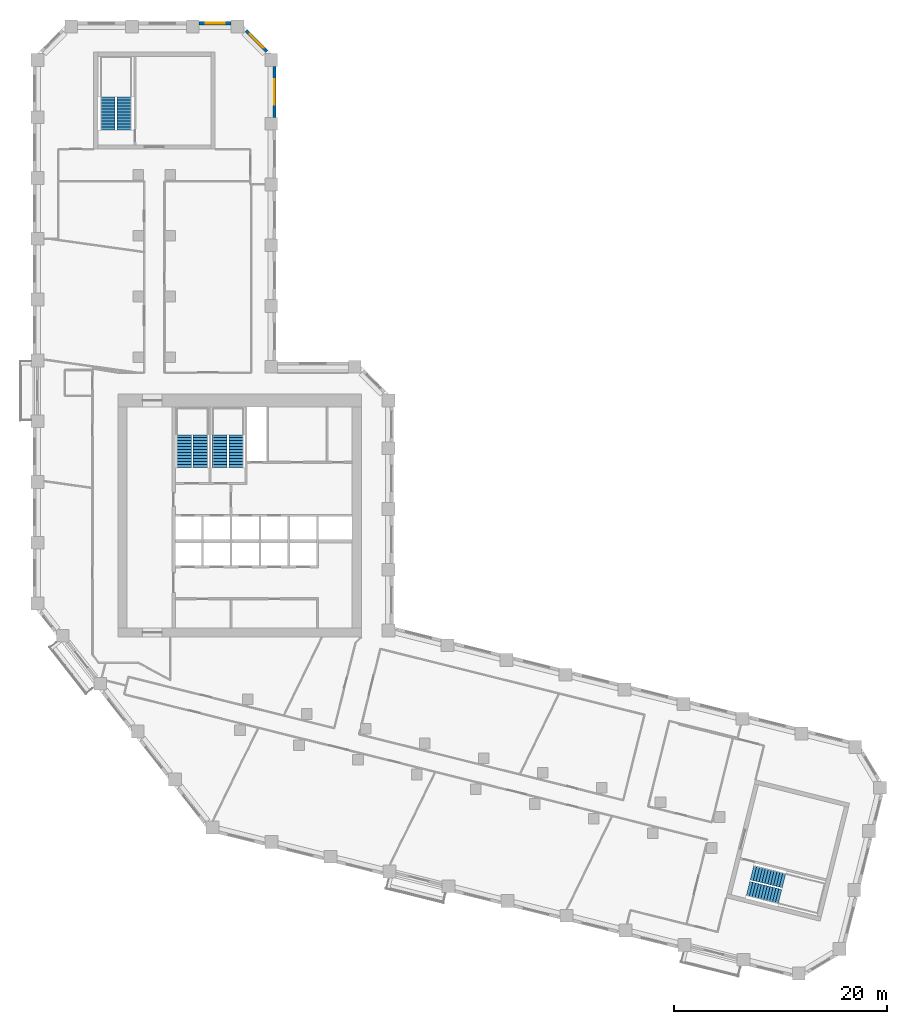
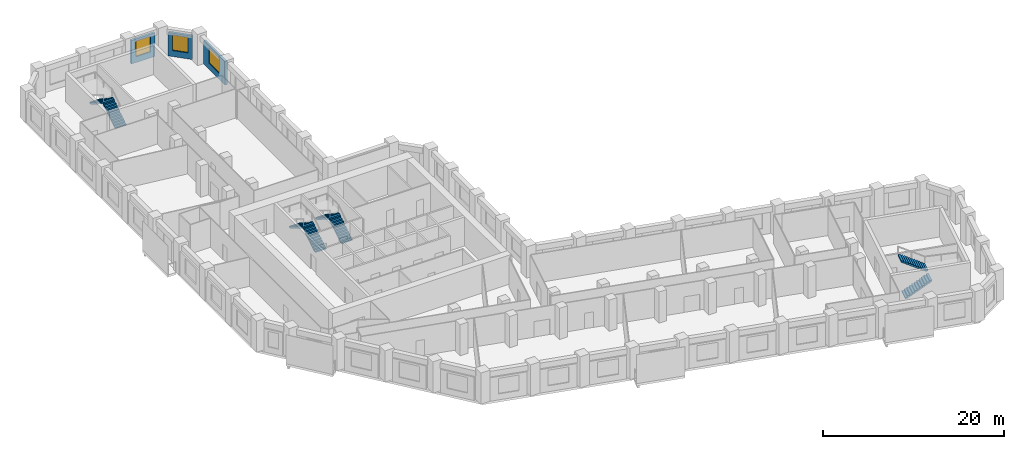
# One storey, part 9 of 10: 8 stair flights, 3 walls, 3 windows, 3 openings, 4 elements without a shape of their own.
"""IFC4 building model written with IfcOpenShell, lengths in metres."""

from ifc_helpers import new_model, si_unit, direction, frame, frame_2d, origin, place, context, subcontext, project, spatial, polyline, rectangle, outline, extrude, material, layer, layer_set, type_object, element, fill, aggregate, save


model = new_model("IFC4")

# Units and contexts
model_context = context("Model", 3, precision=1e-05, world=origin(), true_north=direction((0.0, 1.0)))
body_context = subcontext(model_context, "Body", "Model", "MODEL_VIEW")
ifc_project = project(units=[si_unit("LENGTHUNIT", "METRE"), si_unit("AREAUNIT", "SQUARE_METRE"), si_unit("VOLUMEUNIT", "CUBIC_METRE"), si_unit("PLANEANGLEUNIT", "RADIAN"), si_unit("MASSUNIT", "GRAM", prefix="KILO")], contexts=[model_context])

# Site, building, storey
site_placement = place(None, origin())
site = spatial("IfcSite", under=ifc_project, at=site_placement, CompositionType="ELEMENT")
building_placement = place(site_placement, origin())
building = spatial("IfcBuilding", under=site, at=building_placement, Name="Meshkara Civic Tower", CompositionType="ELEMENT")
storey_placement = place(building_placement, frame((0.0, 0.0, 186.60009765625)))
storey = spatial("IfcBuildingStorey", under=building, at=storey_placement, Name="L42", CompositionType="ELEMENT", Elevation=186.60009765625)

# Wall, opening, window
ifc_material_1 = material(Name="Insulated infill panel with bronze anodised aluminium cladding", Category="aluminium")
ifc_layer = layer(ifc_material_1, 0.300048828125)
ifc_layer_set = layer_set([ifc_layer], Name="EXTERNAL INFILL WALL 300")
wall_type = type_object("IfcWallType", Name="EXTERNAL INFILL WALL 300", PredefinedType="SOLIDWALL", material=ifc_layer_set)
wall_1_placement = place(storey_placement, frame((22.64990234375, 62.85009765625, 0.0), z_axis=(0.0, 0.0, 1.0), x_axis=(0.0, 1.0, 0.0)))
wall_1 = element("IfcWall", 1, at=wall_1_placement, inside=storey, type_object=wall_type, Name="External wall", PredefinedType="SOLIDWALL", context=body_context, shape_type="SweptSolid", body=[
    extrude(rectangle(XDim=4.763916015625, YDim=0.300048828125, at=frame_2d((2.3818359375, 0.0))), origin(), (0.0, 0.0, 1.0), 3.14990234375),
])
opening_1_placement = place(wall_1_placement, frame((1.181884765625, 0.0, 0.800048828125)))
opening_1 = element("IfcOpeningElement", 2, at=opening_1_placement, cuts=wall_1, Name="Opening W7", PredefinedType="OPENING", context=body_context, shape_type="SweptSolid", body=[
    extrude(rectangle(XDim=2.39990234375, YDim=2.10009765625, at=frame_2d((1.199951171875, 1.050048828125))), frame((0.0, 0.159912109375, 0.0), z_axis=(0.0, -1.0, 0.0), x_axis=(1.0, 0.0, 0.0)), (0.0, 0.0, 1.0), 0.320068359375),
])
ifc_material_2 = material(Name="Tinted double glazing", Category="glass")
window_type_1 = type_object("IfcWindowType", Name="WINDOW 2400x2100", PartitioningType="DOUBLE_PANEL_VERTICAL", PredefinedType="WINDOW", material=ifc_material_2)
window_1_placement = place(opening_1_placement, origin())
window_1 = element("IfcWindow", 3, at=window_1_placement, inside=storey, type_object=window_type_1, Name="Window", OverallHeight=2.10009765625, OverallWidth=2.39990234375, PartitioningType="DOUBLE_PANEL_VERTICAL", PredefinedType="WINDOW", context=body_context, shape_type="SweptSolid", body=[
    extrude(rectangle(XDim=2.39990234375, YDim=2.10009765625, at=frame_2d((1.199951171875, 1.050048828125))), frame((0.0, 0.030029296875, 0.0), z_axis=(0.0, -1.0, 0.0), x_axis=(1.0, 0.0, 0.0)), (0.0, 0.0, 1.0), 0.06005859375),
])
fill(opening_1, window_1)

wall_2_placement = place(storey_placement, frame((21.9619140625, 69.02587890625, 0.0), z_axis=(0.0, 0.0, 1.0), x_axis=(-0.707062649074, 0.707150910545, 0.0)))
wall_2 = element("IfcWall", 4, at=wall_2_placement, inside=storey, type_object=wall_type, Name="External wall", PredefinedType="SOLIDWALL", context=body_context, shape_type="SweptSolid", body=[
    extrude(rectangle(XDim=2.76611328125, YDim=0.300048828125, at=frame_2d((1.383056640625, 0.0))), origin(), (0.0, 0.0, 1.0), 3.14990234375),
])
opening_2_placement = place(wall_2_placement, frame((0.48291015625, 0.0, 0.800048828125)))
opening_2 = element("IfcOpeningElement", 5, at=opening_2_placement, cuts=wall_2, Name="Opening W9", PredefinedType="OPENING", context=body_context, shape_type="SweptSolid", body=[
    extrude(rectangle(XDim=1.800048828125, YDim=2.10009765625, at=frame_2d((0.89990234375, 1.050048828125))), frame((0.0, 0.159912109375, 0.0), z_axis=(0.0, -1.0, 0.0), x_axis=(1.0, 0.0, 0.0)), (0.0, 0.0, 1.0), 0.320068359375),
])
ifc_material_3 = material(Name="Tinted double glazing", Category="glass")
window_type_2 = type_object("IfcWindowType", Name="WINDOW 1800x2100", PartitioningType="DOUBLE_PANEL_VERTICAL", PredefinedType="WINDOW", material=ifc_material_3)
window_2_placement = place(opening_2_placement, origin())
window_2 = element("IfcWindow", 6, at=window_2_placement, inside=storey, type_object=window_type_2, Name="Window", OverallHeight=2.10009765625, OverallWidth=1.800048828125, PartitioningType="DOUBLE_PANEL_VERTICAL", PredefinedType="WINDOW", context=body_context, shape_type="SweptSolid", body=[
    extrude(rectangle(XDim=1.800048828125, YDim=2.10009765625, at=frame_2d((0.89990234375, 1.050048828125))), frame((0.0, 0.030029296875, 0.0), z_axis=(0.0, -1.0, 0.0), x_axis=(1.0, 0.0, 0.0)), (0.0, 0.0, 1.0), 0.06005859375),
])
fill(opening_2, window_2)

wall_3_placement = place(storey_placement, frame((18.593994140625, 71.669921875, 0.0), z_axis=(0.0, 0.0, 1.0), x_axis=(-1.0, 0.0, 0.0)))
wall_3 = element("IfcWall", 7, at=wall_3_placement, inside=storey, type_object=wall_type, Name="External wall", PredefinedType="SOLIDWALL", context=body_context, shape_type="SweptSolid", body=[
    extrude(rectangle(XDim=2.988037109375, YDim=0.300048828125, at=frame_2d((1.494140625, 0.0))), origin(), (0.0, 0.0, 1.0), 3.14990234375),
])
opening_3_placement = place(wall_3_placement, frame((0.593994140625, 0.0, 0.800048828125)))
opening_3 = element("IfcOpeningElement", 8, at=opening_3_placement, cuts=wall_3, Name="Opening W9", PredefinedType="OPENING", context=body_context, shape_type="SweptSolid", body=[
    extrude(rectangle(XDim=1.800048828125, YDim=2.10009765625, at=frame_2d((0.89990234375, 1.050048828125))), frame((0.0, 0.159912109375, 0.0), z_axis=(0.0, -1.0, 0.0), x_axis=(1.0, 0.0, 0.0)), (0.0, 0.0, 1.0), 0.320068359375),
])
window_3_placement = place(opening_3_placement, origin())
window_3 = element("IfcWindow", 9, at=window_3_placement, inside=storey, type_object=window_type_2, Name="Window", OverallHeight=2.10009765625, OverallWidth=1.800048828125, PartitioningType="DOUBLE_PANEL_VERTICAL", PredefinedType="WINDOW", context=body_context, shape_type="SweptSolid", body=[
    extrude(rectangle(XDim=1.800048828125, YDim=2.10009765625, at=frame_2d((0.89990234375, 1.050048828125))), frame((0.0, 0.030029296875, 0.0), z_axis=(0.0, -1.0, 0.0), x_axis=(1.0, 0.0, 0.0)), (0.0, 0.0, 1.0), 0.06005859375),
])
fill(opening_3, window_3)

# Stair, stair flights
ifc_material_4 = material(Name="Precast concrete C40/50", Category="concrete")
stair_type = type_object("IfcStairType", Name="Exit stair half-turn 24 risers precast", PredefinedType="HALF_TURN_STAIR", material=ifc_material_4)
stair_1_placement = place(storey_placement, origin())
stair_1 = element("IfcStair", 10, at=stair_1_placement, inside=storey, type_object=stair_type, Name="L42 exit stair 1", PredefinedType="HALF_TURN_STAIR")
ifc_material_5 = material(Name="Precast concrete C40/50", Category="concrete")
stair_flight_type = type_object("IfcStairFlightType", Name="Exit stair flight 12 risers precast", PredefinedType="STRAIGHT", material=ifc_material_5)
stair_flight_1_placement = place(storey_placement, frame((15.72509765625, 30.0, 0.0), z_axis=(0.0, 0.0, 1.0), x_axis=(0.0, 1.0, 0.0)))
stair_flight_1 = element("IfcStairFlight", 11, at=stair_flight_1_placement, type_object=stair_flight_type, Name="ST1 flight 1", NumberOfRisers=12, NumberOfTreads=11, PredefinedType="STRAIGHT", RiserHeight=0.175, TreadLength=0.28, context=body_context, shape_type="SweptSolid", body=[
    extrude(outline(polyline([(0.0, 0.0), (0.0, 0.175048828125), (0.280029296875, 0.175048828125), (0.280029296875, 0.35009765625), (0.56005859375, 0.35009765625), (0.56005859375, 0.52490234375), (0.840087890625, 0.52490234375), (0.840087890625, 0.699951171875), (1.1201171875, 0.699951171875), (1.1201171875, 0.875), (1.39990234375, 0.875), (1.39990234375, 1.050048828125), (1.679931640625, 1.050048828125), (1.679931640625, 1.22509765625), (1.9599609375, 1.22509765625), (1.9599609375, 1.39990234375), (2.239990234375, 1.39990234375), (2.239990234375, 1.574951171875), (2.52001953125, 1.574951171875), (2.52001953125, 1.75), (2.800048828125, 1.75), (2.800048828125, 1.925048828125), (3.080078125, 1.925048828125), (3.080078125, 2.10009765625), (3.080078125, 1.748291015625), (0.28271484375, 0.0), (0.0, 0.0)])), frame((0.0, 0.699951171875, 0.0), z_axis=(0.0, -1.0, 0.0), x_axis=(1.0, 0.0, 0.0)), (0.0, 0.0, 1.0), 1.39990234375),
])
stair_flight_2_placement = place(storey_placement, frame((14.175048828125, 33.080078125, 2.099853515625), z_axis=(0.0, 0.0, 1.0), x_axis=(0.0, -1.0, 0.0)))
stair_flight_2 = element("IfcStairFlight", 12, at=stair_flight_2_placement, type_object=stair_flight_type, Name="ST1 flight 2", NumberOfRisers=12, NumberOfTreads=11, PredefinedType="STRAIGHT", RiserHeight=0.175, TreadLength=0.28, context=body_context, shape_type="SweptSolid", body=[
    extrude(outline(polyline([(0.0, 0.0), (0.0, 0.175048828125), (0.280029296875, 0.175048828125), (0.280029296875, 0.35009765625), (0.56005859375, 0.35009765625), (0.56005859375, 0.52490234375), (0.840087890625, 0.52490234375), (0.840087890625, 0.699951171875), (1.1201171875, 0.699951171875), (1.1201171875, 0.875), (1.39990234375, 0.875), (1.39990234375, 1.050048828125), (1.679931640625, 1.050048828125), (1.679931640625, 1.22509765625), (1.9599609375, 1.22509765625), (1.9599609375, 1.39990234375), (2.239990234375, 1.39990234375), (2.239990234375, 1.574951171875), (2.52001953125, 1.574951171875), (2.52001953125, 1.75), (2.800048828125, 1.75), (2.800048828125, 1.925048828125), (3.080078125, 1.925048828125), (3.080078125, 2.10009765625), (3.080078125, 1.748291015625), (0.28271484375, 0.0), (0.0, 0.0)])), frame((0.0, 0.699951171875, 0.0), z_axis=(0.0, -1.0, 0.0), x_axis=(1.0, 0.0, 0.0)), (0.0, 0.0, 1.0), 1.39990234375),
])
aggregate(stair_1, [stair_flight_1, stair_flight_2])

stair_2_placement = place(storey_placement, origin())
stair_2 = element("IfcStair", 13, at=stair_2_placement, inside=storey, type_object=stair_type, Name="L42 exit stair 2", PredefinedType="HALF_TURN_STAIR")
stair_flight_3_placement = place(storey_placement, frame((19.074951171875, 30.0, 0.0), z_axis=(0.0, 0.0, 1.0), x_axis=(0.0, 1.0, 0.0)))
stair_flight_3 = element("IfcStairFlight", 14, at=stair_flight_3_placement, type_object=stair_flight_type, Name="ST2 flight 1", NumberOfRisers=12, NumberOfTreads=11, PredefinedType="STRAIGHT", RiserHeight=0.175, TreadLength=0.28, context=body_context, shape_type="SweptSolid", body=[
    extrude(outline(polyline([(0.0, 0.0), (0.0, 0.175048828125), (0.280029296875, 0.175048828125), (0.280029296875, 0.35009765625), (0.56005859375, 0.35009765625), (0.56005859375, 0.52490234375), (0.840087890625, 0.52490234375), (0.840087890625, 0.699951171875), (1.1201171875, 0.699951171875), (1.1201171875, 0.875), (1.39990234375, 0.875), (1.39990234375, 1.050048828125), (1.679931640625, 1.050048828125), (1.679931640625, 1.22509765625), (1.9599609375, 1.22509765625), (1.9599609375, 1.39990234375), (2.239990234375, 1.39990234375), (2.239990234375, 1.574951171875), (2.52001953125, 1.574951171875), (2.52001953125, 1.75), (2.800048828125, 1.75), (2.800048828125, 1.925048828125), (3.080078125, 1.925048828125), (3.080078125, 2.10009765625), (3.080078125, 1.748291015625), (0.28271484375, 0.0), (0.0, 0.0)])), frame((0.0, 0.699951171875, 0.0), z_axis=(0.0, -1.0, 0.0), x_axis=(1.0, 0.0, 0.0)), (0.0, 0.0, 1.0), 1.39990234375),
])
stair_flight_4_placement = place(storey_placement, frame((17.52490234375, 33.080078125, 2.099853515625), z_axis=(0.0, 0.0, 1.0), x_axis=(0.0, -1.0, 0.0)))
stair_flight_4 = element("IfcStairFlight", 15, at=stair_flight_4_placement, type_object=stair_flight_type, Name="ST2 flight 2", NumberOfRisers=12, NumberOfTreads=11, PredefinedType="STRAIGHT", RiserHeight=0.175, TreadLength=0.28, context=body_context, shape_type="SweptSolid", body=[
    extrude(outline(polyline([(0.0, 0.0), (0.0, 0.175048828125), (0.280029296875, 0.175048828125), (0.280029296875, 0.35009765625), (0.56005859375, 0.35009765625), (0.56005859375, 0.52490234375), (0.840087890625, 0.52490234375), (0.840087890625, 0.699951171875), (1.1201171875, 0.699951171875), (1.1201171875, 0.875), (1.39990234375, 0.875), (1.39990234375, 1.050048828125), (1.679931640625, 1.050048828125), (1.679931640625, 1.22509765625), (1.9599609375, 1.22509765625), (1.9599609375, 1.39990234375), (2.239990234375, 1.39990234375), (2.239990234375, 1.574951171875), (2.52001953125, 1.574951171875), (2.52001953125, 1.75), (2.800048828125, 1.75), (2.800048828125, 1.925048828125), (3.080078125, 1.925048828125), (3.080078125, 2.10009765625), (3.080078125, 1.748291015625), (0.28271484375, 0.0), (0.0, 0.0)])), frame((0.0, 0.699951171875, 0.0), z_axis=(0.0, -1.0, 0.0), x_axis=(1.0, 0.0, 0.0)), (0.0, 0.0, 1.0), 1.39990234375),
])
aggregate(stair_2, [stair_flight_3, stair_flight_4])

stair_3_placement = place(storey_placement, origin())
stair_3 = element("IfcStair", 16, at=stair_3_placement, inside=storey, type_object=stair_type, Name="L42 exit stair A from L35", PredefinedType="HALF_TURN_STAIR")
stair_flight_5_placement = place(storey_placement, frame((8.574951171875, 61.669921875, 0.0), z_axis=(0.0, 0.0, 1.0), x_axis=(0.0, 1.0, 0.0)))
stair_flight_5 = element("IfcStairFlight", 17, at=stair_flight_5_placement, type_object=stair_flight_type, Name="ESA3 flight 1", NumberOfRisers=12, NumberOfTreads=11, PredefinedType="STRAIGHT", RiserHeight=0.175, TreadLength=0.28, context=body_context, shape_type="SweptSolid", body=[
    extrude(outline(polyline([(0.0, 0.0), (0.0, 0.175048828125), (0.280029296875, 0.175048828125), (0.280029296875, 0.35009765625), (0.56005859375, 0.35009765625), (0.56005859375, 0.52490234375), (0.840087890625, 0.52490234375), (0.840087890625, 0.699951171875), (1.1201171875, 0.699951171875), (1.1201171875, 0.875), (1.39990234375, 0.875), (1.39990234375, 1.050048828125), (1.679931640625, 1.050048828125), (1.679931640625, 1.22509765625), (1.9599609375, 1.22509765625), (1.9599609375, 1.39990234375), (2.239990234375, 1.39990234375), (2.239990234375, 1.574951171875), (2.52001953125, 1.574951171875), (2.52001953125, 1.75), (2.800048828125, 1.75), (2.800048828125, 1.925048828125), (3.080078125, 1.925048828125), (3.080078125, 2.10009765625), (3.080078125, 1.748291015625), (0.28271484375, 0.0), (0.0, 0.0)])), frame((0.0, 0.699951171875, 0.0), z_axis=(0.0, -1.0, 0.0), x_axis=(1.0, 0.0, 0.0)), (0.0, 0.0, 1.0), 1.39990234375),
])
stair_flight_6_placement = place(storey_placement, frame((7.02490234375, 64.75, 2.099853515625), z_axis=(0.0, 0.0, 1.0), x_axis=(0.0, -1.0, 0.0)))
stair_flight_6 = element("IfcStairFlight", 18, at=stair_flight_6_placement, type_object=stair_flight_type, Name="ESA3 flight 2", NumberOfRisers=12, NumberOfTreads=11, PredefinedType="STRAIGHT", RiserHeight=0.175, TreadLength=0.28, context=body_context, shape_type="SweptSolid", body=[
    extrude(outline(polyline([(0.0, 0.0), (0.0, 0.175048828125), (0.280029296875, 0.175048828125), (0.280029296875, 0.35009765625), (0.56005859375, 0.35009765625), (0.56005859375, 0.52490234375), (0.840087890625, 0.52490234375), (0.840087890625, 0.699951171875), (1.1201171875, 0.699951171875), (1.1201171875, 0.875), (1.39990234375, 0.875), (1.39990234375, 1.050048828125), (1.679931640625, 1.050048828125), (1.679931640625, 1.22509765625), (1.9599609375, 1.22509765625), (1.9599609375, 1.39990234375), (2.239990234375, 1.39990234375), (2.239990234375, 1.574951171875), (2.52001953125, 1.574951171875), (2.52001953125, 1.75), (2.800048828125, 1.75), (2.800048828125, 1.925048828125), (3.080078125, 1.925048828125), (3.080078125, 2.10009765625), (3.080078125, 1.748291015625), (0.28271484375, 0.0), (0.0, 0.0)])), frame((0.0, 0.699951171875, 0.0), z_axis=(0.0, -1.0, 0.0), x_axis=(1.0, 0.0, 0.0)), (0.0, 0.0, 1.0), 1.39990234375),
])
aggregate(stair_3, [stair_flight_5, stair_flight_6])

stair_4_placement = place(storey_placement, origin())
stair_4 = element("IfcStair", 19, at=stair_4_placement, inside=storey, type_object=stair_type, Name="L42 exit stair B from L35", PredefinedType="HALF_TURN_STAIR")
stair_flight_7_placement = place(storey_placement, frame((67.068115234375, -9.4814453125, 0.0), z_axis=(0.0, 0.0, 1.0), x_axis=(0.9703185901, -0.241830175344, 0.0)))
stair_flight_7 = element("IfcStairFlight", 20, at=stair_flight_7_placement, type_object=stair_flight_type, Name="ESB3 flight 1", NumberOfRisers=12, NumberOfTreads=11, PredefinedType="STRAIGHT", RiserHeight=0.175, TreadLength=0.28, context=body_context, shape_type="SweptSolid", body=[
    extrude(outline(polyline([(0.0, 0.0), (0.0, 0.175048828125), (0.280029296875, 0.175048828125), (0.280029296875, 0.35009765625), (0.56005859375, 0.35009765625), (0.56005859375, 0.52490234375), (0.840087890625, 0.52490234375), (0.840087890625, 0.699951171875), (1.1201171875, 0.699951171875), (1.1201171875, 0.875), (1.39990234375, 0.875), (1.39990234375, 1.050048828125), (1.679931640625, 1.050048828125), (1.679931640625, 1.22509765625), (1.9599609375, 1.22509765625), (1.9599609375, 1.39990234375), (2.239990234375, 1.39990234375), (2.239990234375, 1.574951171875), (2.52001953125, 1.574951171875), (2.52001953125, 1.75), (2.800048828125, 1.75), (2.800048828125, 1.925048828125), (3.080078125, 1.925048828125), (3.080078125, 2.10009765625), (3.080078125, 1.748291015625), (0.28271484375, 0.0), (0.0, 0.0)])), frame((0.0, 0.699951171875, 0.0), z_axis=(0.0, -1.0, 0.0), x_axis=(1.0, 0.0, 0.0)), (0.0, 0.0, 1.0), 1.39990234375),
])
stair_flight_8_placement = place(storey_placement, frame((70.431396484375, -8.722412109375, 2.099853515625), z_axis=(0.0, 0.0, 1.0), x_axis=(-0.9703185901, 0.241830175344, 0.0)))
stair_flight_8 = element("IfcStairFlight", 21, at=stair_flight_8_placement, type_object=stair_flight_type, Name="ESB3 flight 2", NumberOfRisers=12, NumberOfTreads=11, PredefinedType="STRAIGHT", RiserHeight=0.175, TreadLength=0.28, context=body_context, shape_type="SweptSolid", body=[
    extrude(outline(polyline([(0.0, 0.0), (0.0, 0.175048828125), (0.280029296875, 0.175048828125), (0.280029296875, 0.35009765625), (0.56005859375, 0.35009765625), (0.56005859375, 0.52490234375), (0.840087890625, 0.52490234375), (0.840087890625, 0.699951171875), (1.1201171875, 0.699951171875), (1.1201171875, 0.875), (1.39990234375, 0.875), (1.39990234375, 1.050048828125), (1.679931640625, 1.050048828125), (1.679931640625, 1.22509765625), (1.9599609375, 1.22509765625), (1.9599609375, 1.39990234375), (2.239990234375, 1.39990234375), (2.239990234375, 1.574951171875), (2.52001953125, 1.574951171875), (2.52001953125, 1.75), (2.800048828125, 1.75), (2.800048828125, 1.925048828125), (3.080078125, 1.925048828125), (3.080078125, 2.10009765625), (3.080078125, 1.748291015625), (0.28271484375, 0.0), (0.0, 0.0)])), frame((0.0, 0.699951171875, 0.0), z_axis=(0.0, -1.0, 0.0), x_axis=(1.0, 0.0, 0.0)), (0.0, 0.0, 1.0), 1.39990234375),
])
aggregate(stair_4, [stair_flight_7, stair_flight_8])

save(model, "model.ifc")
